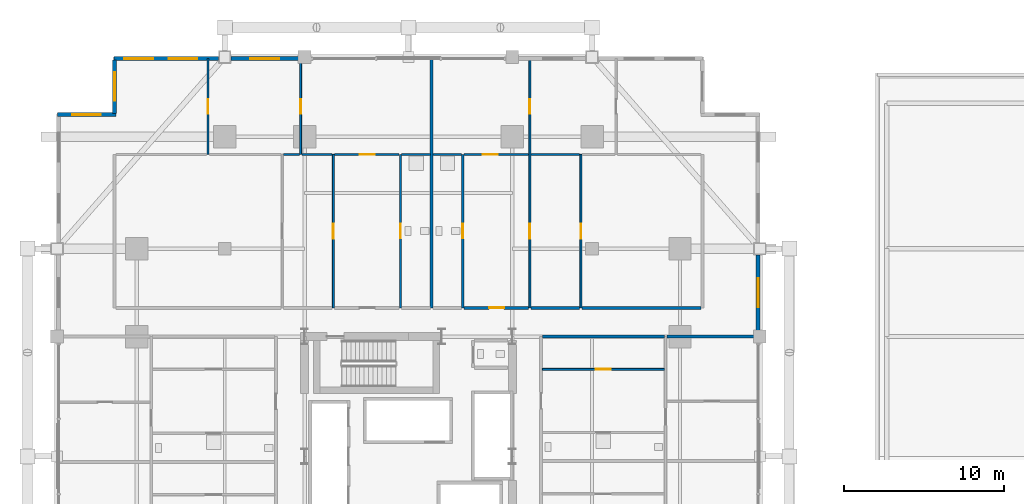
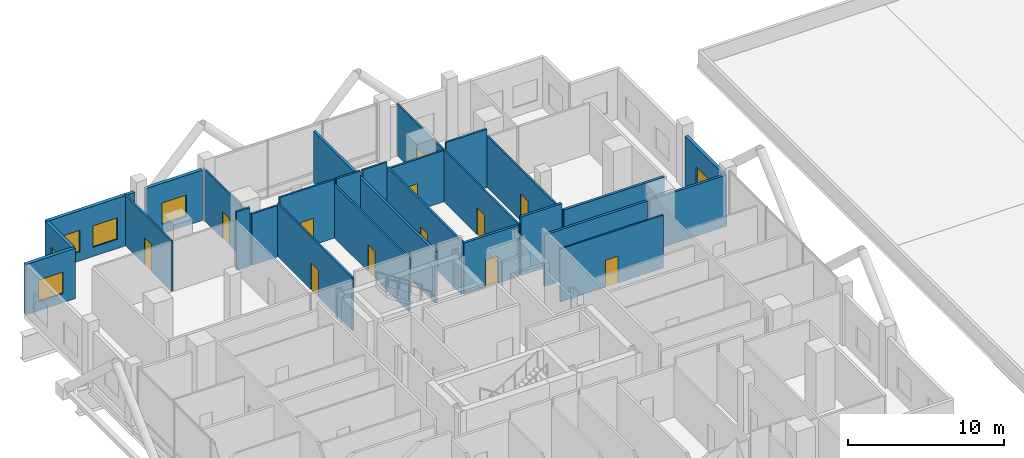
# One storey, part 27 of 33: 26 walls, 12 doors, 6 windows, 18 openings.
"""IFC4 building model written with IfcOpenShell, lengths in metres."""

from ifc_helpers import new_model, si_unit, direction, frame, frame_2d, origin, place, context, subcontext, project, spatial, rectangle, extrude, material, layer, layer_set, type_object, element, fill, save


model = new_model("IFC4")

# Units and contexts
model_context = context("Model", 3, precision=1e-05, world=origin(), true_north=direction((0.0, 1.0)))
body_context = subcontext(model_context, "Body", "Model", "MODEL_VIEW")
ifc_project = project(units=[si_unit("LENGTHUNIT", "METRE"), si_unit("AREAUNIT", "SQUARE_METRE"), si_unit("VOLUMEUNIT", "CUBIC_METRE"), si_unit("PLANEANGLEUNIT", "RADIAN"), si_unit("MASSUNIT", "GRAM", prefix="KILO")], contexts=[model_context])

# Site, building, storey
site_placement = place(None, origin())
site = spatial("IfcSite", under=ifc_project, at=site_placement, CompositionType="ELEMENT")
building_placement = place(site_placement, origin())
building = spatial("IfcBuilding", under=site, at=building_placement, Name="Barlavira Tower and Art Museum", CompositionType="ELEMENT")
storey_placement = place(building_placement, frame((0.0, 0.0, 27.60009765625)))
storey = spatial("IfcBuildingStorey", under=building, at=storey_placement, Name="L05", CompositionType="ELEMENT", Elevation=27.60009765625)

# Wall, opening, door
ifc_material_1 = material(Name="Gypsum acoustic stud partition", Category="gypsum")
ifc_layer_1 = layer(ifc_material_1, 0.1201171875, Name="Gypsum acoustic stud partition")
ifc_layer_set_1 = layer_set([ifc_layer_1], Name="Gypsum acoustic stud partition")
wall_type_1 = type_object("IfcWallType", Name="Apartment Internal Acoustic Partition 120", PredefinedType="PARTITIONING", material=ifc_layer_set_1)
wall_1_placement = place(storey_placement, frame((-12.550048828125, 18.89990234375, 0.0), z_axis=(0.0, 0.0, 1.0), x_axis=(0.0, 1.0, 0.0)))
wall_1 = element("IfcWall", 1, at=wall_1_placement, inside=storey, type_object=wall_type_1, Name="L05 Partition Wall 7", PredefinedType="PARTITIONING", context=body_context, shape_type="SweptSolid", body=[
    extrude(rectangle(XDim=6.0, YDim=0.1201171875, at=frame_2d((3.0, 0.0))), origin(), (0.0, 0.0, 1.0), 3.935791015625),
])
opening_1_placement = place(wall_1_placement, frame((2.550048828125, 0.0, 0.0)))
opening_1 = element("IfcOpeningElement", 2, at=opening_1_placement, cuts=wall_1, Name="Opening D-01", PredefinedType="OPENING", context=body_context, shape_type="SweptSolid", body=[
    extrude(rectangle(XDim=0.89990234375, YDim=2.10009765625, at=frame_2d((0.449951171875, 1.050048828125))), frame((0.0, 0.070068359375, 0.0), z_axis=(0.0, -1.0, 0.0), x_axis=(1.0, 0.0, 0.0)), (0.0, 0.0, 1.0), 0.14013671875),
])
ifc_material_2 = material(Name="Engineered coastal hardwood", Category="wood")
door_type_1 = type_object("IfcDoorType", Name="Internal Bedroom Timber Flush Door 900x2100", OperationType="NOTDEFINED", PredefinedType="DOOR", material=ifc_material_2)
door_1_placement = place(opening_1_placement, origin())
door_1 = element("IfcDoor", 3, at=door_1_placement, inside=storey, type_object=door_type_1, Name="Apartment N1 Bedroom 2 Door", OperationType="SINGLE_SWING_LEFT", OverallHeight=2.10009765625, OverallWidth=0.89990234375, PredefinedType="DOOR", context=body_context, shape_type="SweptSolid", body=[
    extrude(rectangle(XDim=0.89990234375, YDim=2.10009765625, at=frame_2d((0.449951171875, 1.050048828125))), frame((0.0, 0.02490234375, 0.0), z_axis=(0.0, -1.0, 0.0), x_axis=(1.0, 0.0, 0.0)), (0.0, 0.0, 1.0), 0.050048828125),
])
fill(opening_1, door_1)

wall_2_placement = place(storey_placement, frame((-6.75, 18.89990234375, 0.0), z_axis=(0.0, 0.0, 1.0), x_axis=(0.0, 1.0, 0.0)))
wall_2 = element("IfcWall", 4, at=wall_2_placement, inside=storey, type_object=wall_type_1, Name="L05 Partition Wall 12", PredefinedType="PARTITIONING", context=body_context, shape_type="SweptSolid", body=[
    extrude(rectangle(XDim=6.0, YDim=0.1201171875, at=frame_2d((3.0, 0.0))), origin(), (0.0, 0.0, 1.0), 4.015869140625),
])
opening_2_placement = place(wall_2_placement, frame((2.550048828125, 0.0, 0.0)))
opening_2 = element("IfcOpeningElement", 5, at=opening_2_placement, cuts=wall_2, Name="Opening D-01", PredefinedType="OPENING", context=body_context, shape_type="SweptSolid", body=[
    extrude(rectangle(XDim=0.89990234375, YDim=2.10009765625, at=frame_2d((0.449951171875, 1.050048828125))), frame((0.0, 0.070068359375, 0.0), z_axis=(0.0, -1.0, 0.0), x_axis=(1.0, 0.0, 0.0)), (0.0, 0.0, 1.0), 0.14013671875),
])
door_2_placement = place(opening_2_placement, origin())
door_2 = element("IfcDoor", 6, at=door_2_placement, inside=storey, type_object=door_type_1, Name="Apartment N1 Bedroom 1 Door", OperationType="SINGLE_SWING_RIGHT", OverallHeight=2.10009765625, OverallWidth=0.89990234375, PredefinedType="DOOR", context=body_context, shape_type="SweptSolid", body=[
    extrude(rectangle(XDim=0.89990234375, YDim=2.10009765625, at=frame_2d((0.449951171875, 1.050048828125))), frame((0.0, 0.02490234375, 0.0), z_axis=(0.0, -1.0, 0.0), x_axis=(1.0, 0.0, 0.0)), (0.0, 0.0, 1.0), 0.050048828125),
])
fill(opening_2, door_2)

wall_3_placement = place(storey_placement, frame((-4.699951171875, 9.300048828125, 0.0), z_axis=(0.0, 0.0, 1.0), x_axis=(0.0, 1.0, 0.0)))
wall_3 = element("IfcWall", 7, at=wall_3_placement, inside=storey, type_object=wall_type_1, Name="L05 Partition Wall 13", PredefinedType="PARTITIONING", context=body_context, shape_type="SweptSolid", body=[
    extrude(rectangle(XDim=9.599853515625, YDim=0.1201171875, at=frame_2d((4.7998046875, 0.0))), origin(), (0.0, 0.0, 1.0), 4.14794921875),
])
opening_3_placement = place(wall_3_placement, frame((4.324951171875, 0.0, 0.0)))
opening_3 = element("IfcOpeningElement", 8, at=opening_3_placement, cuts=wall_3, Name="Opening D-02", PredefinedType="OPENING", context=body_context, shape_type="SweptSolid", body=[
    extrude(rectangle(XDim=0.949951171875, YDim=2.10009765625, at=frame_2d((0.47509765625, 1.050048828125))), frame((0.0, 0.070068359375, 0.0), z_axis=(0.0, -1.0, 0.0), x_axis=(1.0, 0.0, 0.0)), (0.0, 0.0, 1.0), 0.14013671875),
])
door_type_2 = type_object("IfcDoorType", Name="Living and Salon Glazed-Leaf Door 950x2100", OperationType="NOTDEFINED", PredefinedType="DOOR", material=ifc_material_2)
door_3_placement = place(opening_3_placement, origin())
door_3 = element("IfcDoor", 9, at=door_3_placement, inside=storey, type_object=door_type_2, Name="Apartment N1 Kitchen Door", OperationType="SINGLE_SWING_LEFT", OverallHeight=2.10009765625, OverallWidth=0.949951171875, PredefinedType="DOOR", context=body_context, shape_type="SweptSolid", body=[
    extrude(rectangle(XDim=0.949951171875, YDim=2.10009765625, at=frame_2d((0.47509765625, 1.050048828125))), frame((0.0, 0.02490234375, 0.0), z_axis=(0.0, -1.0, 0.0), x_axis=(1.0, 0.0, 0.0)), (0.0, 0.0, 1.0), 0.050048828125),
])
fill(opening_3, door_3)

# Wall, openings, doors
wall_4_placement = place(storey_placement, frame((7.60009765625, 9.300048828125, 0.0), z_axis=(0.0, 0.0, 1.0), x_axis=(0.0, 1.0, 0.0)))
wall_4 = element("IfcWall", 10, at=wall_4_placement, inside=storey, type_object=wall_type_1, Name="L05 Partition Wall 22", PredefinedType="PARTITIONING", context=body_context, shape_type="SweptSolid", body=[
    extrude(rectangle(XDim=15.599853515625, YDim=0.1201171875, at=frame_2d((7.7998046875, 0.0))), origin(), (0.0, 0.0, 1.0), 4.015869140625),
])
opening_4_placement = place(wall_4_placement, frame((4.324951171875, 0.0, 0.0)))
opening_4 = element("IfcOpeningElement", 11, at=opening_4_placement, cuts=wall_4, Name="Opening D-02", PredefinedType="OPENING", context=body_context, shape_type="SweptSolid", body=[
    extrude(rectangle(XDim=0.949951171875, YDim=2.10009765625, at=frame_2d((0.47509765625, 1.050048828125))), frame((0.0, 0.070068359375, 0.0), z_axis=(0.0, -1.0, 0.0), x_axis=(1.0, 0.0, 0.0)), (0.0, 0.0, 1.0), 0.14013671875),
])
opening_5_placement = place(wall_4_placement, frame((12.14990234375, 0.0, 0.0)))
opening_5 = element("IfcOpeningElement", 12, at=opening_5_placement, cuts=wall_4, Name="Opening D-01", PredefinedType="OPENING", context=body_context, shape_type="SweptSolid", body=[
    extrude(rectangle(XDim=0.89990234375, YDim=2.10009765625, at=frame_2d((0.449951171875, 1.050048828125))), frame((0.0, 0.070068359375, 0.0), z_axis=(0.0, -1.0, 0.0), x_axis=(1.0, 0.0, 0.0)), (0.0, 0.0, 1.0), 0.14013671875),
])
door_4_placement = place(opening_5_placement, origin())
door_4 = element("IfcDoor", 13, at=door_4_placement, inside=storey, type_object=door_type_1, Name="Apartment N2 Bedroom 1 Door", OperationType="SINGLE_SWING_LEFT", OverallHeight=2.10009765625, OverallWidth=0.89990234375, PredefinedType="DOOR", context=body_context, shape_type="SweptSolid", body=[
    extrude(rectangle(XDim=0.89990234375, YDim=2.10009765625, at=frame_2d((0.449951171875, 1.050048828125))), frame((0.0, 0.02490234375, 0.0), z_axis=(0.0, -1.0, 0.0), x_axis=(1.0, 0.0, 0.0)), (0.0, 0.0, 1.0), 0.050048828125),
])
fill(opening_5, door_4)
door_5_placement = place(opening_4_placement, origin())
door_5 = element("IfcDoor", 14, at=door_5_placement, inside=storey, type_object=door_type_2, Name="Apartment N2 Kitchen Door", OperationType="SINGLE_SWING_RIGHT", OverallHeight=2.10009765625, OverallWidth=0.949951171875, PredefinedType="DOOR", context=body_context, shape_type="SweptSolid", body=[
    extrude(rectangle(XDim=0.949951171875, YDim=2.10009765625, at=frame_2d((0.47509765625, 1.050048828125))), frame((0.0, 0.02490234375, 0.0), z_axis=(0.0, -1.0, 0.0), x_axis=(1.0, 0.0, 0.0)), (0.0, 0.0, 1.0), 0.050048828125),
])
fill(opening_4, door_5)

# Wall, opening, door
wall_5_placement = place(storey_placement, frame((10.800048828125, 9.300048828125, 0.0), z_axis=(0.0, 0.0, 1.0), x_axis=(0.0, 1.0, 0.0)))
wall_5 = element("IfcWall", 15, at=wall_5_placement, inside=storey, type_object=wall_type_1, Name="L05 Partition Wall 26", PredefinedType="PARTITIONING", context=body_context, shape_type="SweptSolid", body=[
    extrude(rectangle(XDim=9.599853515625, YDim=0.1201171875, at=frame_2d((4.7998046875, 0.0))), origin(), (0.0, 0.0, 1.0), 4.015869140625),
])
opening_6_placement = place(wall_5_placement, frame((4.324951171875, 0.0, 0.0)))
opening_6 = element("IfcOpeningElement", 16, at=opening_6_placement, cuts=wall_5, Name="Opening D-02", PredefinedType="OPENING", context=body_context, shape_type="SweptSolid", body=[
    extrude(rectangle(XDim=0.949951171875, YDim=2.10009765625, at=frame_2d((0.47509765625, 1.050048828125))), frame((0.0, 0.070068359375, 0.0), z_axis=(0.0, -1.0, 0.0), x_axis=(1.0, 0.0, 0.0)), (0.0, 0.0, 1.0), 0.14013671875),
])
door_6_placement = place(opening_6_placement, origin())
door_6 = element("IfcDoor", 17, at=door_6_placement, inside=storey, type_object=door_type_2, Name="Apartment N2 Dining Salon Door", OperationType="SINGLE_SWING_LEFT", OverallHeight=2.10009765625, OverallWidth=0.949951171875, PredefinedType="DOOR", context=body_context, shape_type="SweptSolid", body=[
    extrude(rectangle(XDim=0.949951171875, YDim=2.10009765625, at=frame_2d((0.47509765625, 1.050048828125))), frame((0.0, 0.02490234375, 0.0), z_axis=(0.0, -1.0, 0.0), x_axis=(1.0, 0.0, 0.0)), (0.0, 0.0, 1.0), 0.050048828125),
])
fill(opening_6, door_6)

wall_6_placement = place(storey_placement, frame((8.3798828125, 5.449951171875, 0.0), z_axis=(0.0, 0.0, 1.0), x_axis=(1.0, 0.0, 0.0)))
wall_6 = element("IfcWall", 18, at=wall_6_placement, inside=storey, type_object=wall_type_1, Name="L05 Partition Wall 77", PredefinedType="PARTITIONING", context=body_context, shape_type="SweptSolid", body=[
    extrude(rectangle(XDim=7.64013671875, YDim=0.1201171875, at=frame_2d((3.820068359375, 0.0))), origin(), (0.0, 0.0, 1.0), 4.14794921875),
])
opening_7_placement = place(wall_6_placement, frame((3.344970703125, 0.0, 0.0)))
opening_7 = element("IfcOpeningElement", 19, at=opening_7_placement, cuts=wall_6, Name="Opening D-02", PredefinedType="OPENING", context=body_context, shape_type="SweptSolid", body=[
    extrude(rectangle(XDim=0.949951171875, YDim=2.10009765625, at=frame_2d((0.47509765625, 1.050048828125))), frame((0.0, 0.070068359375, 0.0), z_axis=(0.0, -1.0, 0.0), x_axis=(1.0, 0.0, 0.0)), (0.0, 0.0, 1.0), 0.14013671875),
])
door_7_placement = place(opening_7_placement, origin())
door_7 = element("IfcDoor", 20, at=door_7_placement, inside=storey, type_object=door_type_2, Name="Apartment E2 Kitchen Door", OperationType="SINGLE_SWING_RIGHT", OverallHeight=2.10009765625, OverallWidth=0.949951171875, PredefinedType="DOOR", context=body_context, shape_type="SweptSolid", body=[
    extrude(rectangle(XDim=0.949951171875, YDim=2.10009765625, at=frame_2d((0.47509765625, 1.050048828125))), frame((0.0, 0.02490234375, 0.0), z_axis=(0.0, -1.0, 0.0), x_axis=(1.0, 0.0, 0.0)), (0.0, 0.0, 1.0), 0.050048828125),
])
fill(opening_7, door_7)

# Walls
ifc_layer_2 = layer(ifc_material_1, 0.179931640625, Name="Gypsum acoustic stud partition")
ifc_layer_set_2 = layer_set([ifc_layer_2], Name="Gypsum acoustic stud partition")
wall_type_2 = type_object("IfcWallType", Name="Inter-Tenancy Party Partition Wall 180", PredefinedType="PARTITIONING", material=ifc_layer_set_2)
wall_7_placement = place(storey_placement, frame((1.449951171875, 9.300048828125, 0.0), z_axis=(0.0, 0.0, 1.0), x_axis=(0.0, 1.0, 0.0)))
element("IfcWall", 21, at=wall_7_placement, inside=storey, type_object=wall_type_2, Name="L05 Partition Wall 18", PredefinedType="PARTITIONING", context=body_context, shape_type="SweptSolid", body=[
    extrude(rectangle(XDim=15.599853515625, YDim=0.179931640625, at=frame_2d((7.7998046875, 0.0))), origin(), (0.0, 0.0, 1.0), 4.015869140625),
])
wall_8_placement = place(storey_placement, frame((8.3798828125, 7.5, 0.0), z_axis=(0.0, 0.0, 1.0), x_axis=(1.0, 0.0, 0.0)))
element("IfcWall", 22, at=wall_8_placement, inside=storey, type_object=wall_type_2, Name="L05 Partition Wall 82", PredefinedType="PARTITIONING", context=body_context, shape_type="SweptSolid", body=[
    extrude(rectangle(XDim=7.64013671875, YDim=0.179931640625, at=frame_2d((3.820068359375, 0.0))), origin(), (0.0, 0.0, 1.0), 4.015869140625),
])
wall_9_placement = place(storey_placement, frame((16.179931640625, 7.5, 0.0), z_axis=(0.0, 0.0, 1.0), x_axis=(1.0, 0.0, 0.0)))
element("IfcWall", 23, at=wall_9_placement, inside=storey, type_object=wall_type_2, Name="L05 Partition Wall 83", PredefinedType="PARTITIONING", context=body_context, shape_type="SweptSolid", body=[
    extrude(rectangle(XDim=5.719970703125, YDim=0.179931640625, at=frame_2d((2.85986328125, 0.0))), origin(), (0.0, 0.0, 1.0), 4.015869140625),
])

# Wall, opening, door
wall_10_placement = place(storey_placement, frame((3.47998046875, 9.300048828125, 0.0), z_axis=(0.0, 0.0, 1.0), x_axis=(1.0, 0.0, 0.0)))
wall_10 = element("IfcWall", 24, at=wall_10_placement, inside=storey, type_object=wall_type_2, Name="L05 Partition Wall 89", PredefinedType="PARTITIONING", context=body_context, shape_type="SweptSolid", body=[
    extrude(rectangle(XDim=4.0400390625, YDim=0.179931640625, at=frame_2d((2.02001953125, 0.0))), origin(), (0.0, 0.0, 1.0), 4.015869140625),
])
opening_8_placement = place(wall_10_placement, frame((1.56494140625, 0.0, 0.0)))
opening_8 = element("IfcOpeningElement", 25, at=opening_8_placement, cuts=wall_10, Name="Opening FD-60", PredefinedType="OPENING", context=body_context, shape_type="SweptSolid", body=[
    extrude(rectangle(XDim=0.949951171875, YDim=2.14990234375, at=frame_2d((0.47509765625, 1.074951171875))), frame((0.0, 0.10009765625, 0.0), z_axis=(0.0, -1.0, 0.0), x_axis=(1.0, 0.0, 0.0)), (0.0, 0.0, 1.0), 0.199951171875),
])
ifc_material_3 = material(Name="Brushed stainless steel", Category="steel")
door_type_3 = type_object("IfcDoorType", Name="Apartment Entrance and Riser Fire Door 950x2150 FD60S", OperationType="NOTDEFINED", PredefinedType="DOOR", material=ifc_material_3)
door_8_placement = place(opening_8_placement, origin())
door_8 = element("IfcDoor", 26, at=door_8_placement, inside=storey, type_object=door_type_3, Name="Apartment Entrance Hall N2 Door", OperationType="SINGLE_SWING_LEFT", OverallHeight=2.14990234375, OverallWidth=0.949951171875, PredefinedType="DOOR", context=body_context, shape_type="SweptSolid", body=[
    extrude(rectangle(XDim=0.949951171875, YDim=2.14990234375, at=frame_2d((0.47509765625, 1.074951171875))), frame((0.0, 0.02490234375, 0.0), z_axis=(0.0, -1.0, 0.0), x_axis=(1.0, 0.0, 0.0)), (0.0, 0.0, 1.0), 0.050048828125),
])
fill(opening_8, door_8)

# Walls
wall_11_placement = place(storey_placement, frame((7.679931640625, 9.300048828125, 0.0), z_axis=(0.0, 0.0, 1.0), x_axis=(1.0, 0.0, 0.0)))
element("IfcWall", 27, at=wall_11_placement, inside=storey, type_object=wall_type_2, Name="L05 Partition Wall 90", PredefinedType="PARTITIONING", context=body_context, shape_type="SweptSolid", body=[
    extrude(rectangle(XDim=3.0400390625, YDim=0.179931640625, at=frame_2d((1.52001953125, 0.0))), origin(), (0.0, 0.0, 1.0), 4.579833984375),
])
wall_12_placement = place(storey_placement, frame((10.8798828125, 9.300048828125, 0.0), z_axis=(0.0, 0.0, 1.0), x_axis=(1.0, 0.0, 0.0)))
element("IfcWall", 28, at=wall_12_placement, inside=storey, type_object=wall_type_2, Name="L05 Partition Wall 91", PredefinedType="PARTITIONING", context=body_context, shape_type="SweptSolid", body=[
    extrude(rectangle(XDim=7.440185546875, YDim=0.179931640625, at=frame_2d((3.72021484375, 0.0))), origin(), (0.0, 0.0, 1.0), 4.015869140625),
])

# Wall, opening, door
ifc_layer_3 = layer(ifc_material_1, 0.139892578125, Name="Gypsum acoustic stud partition")
ifc_layer_set_3 = layer_set([ifc_layer_3], Name="Gypsum acoustic stud partition")
wall_type_3 = type_object("IfcWallType", Name="Moisture-Resistant Bathroom Partition 140", PredefinedType="PARTITIONING", material=ifc_layer_set_3)
wall_13_placement = place(storey_placement, frame((-0.5, 9.300048828125, 0.0), z_axis=(0.0, 0.0, 1.0), x_axis=(0.0, 1.0, 0.0)))
wall_13 = element("IfcWall", 29, at=wall_13_placement, inside=storey, type_object=wall_type_3, Name="L05 Partition Wall 16", PredefinedType="PARTITIONING", context=body_context, shape_type="SweptSolid", body=[
    extrude(rectangle(XDim=9.599853515625, YDim=0.139892578125, at=frame_2d((4.7998046875, 0.0))), origin(), (0.0, 0.0, 1.0), 4.14794921875),
])
opening_9_placement = place(wall_13_placement, frame((4.35009765625, 0.0, 0.0)))
opening_9 = element("IfcOpeningElement", 30, at=opening_9_placement, cuts=wall_13, Name="Opening D-WC", PredefinedType="OPENING", context=body_context, shape_type="SweptSolid", body=[
    extrude(rectangle(XDim=0.89990234375, YDim=2.10009765625, at=frame_2d((0.449951171875, 1.050048828125))), frame((0.0, 0.080078125, 0.0), z_axis=(0.0, -1.0, 0.0), x_axis=(1.0, 0.0, 0.0)), (0.0, 0.0, 1.0), 0.159912109375),
])
door_type_4 = type_object("IfcDoorType", Name="Accessible Bathroom Flush Door 900x2100", OperationType="NOTDEFINED", PredefinedType="DOOR", material=ifc_material_2)
door_9_placement = place(opening_9_placement, origin())
door_9 = element("IfcDoor", 31, at=door_9_placement, inside=storey, type_object=door_type_4, Name="Apartment N1 Hall Bathroom Door", OperationType="SINGLE_SWING_LEFT", OverallHeight=2.10009765625, OverallWidth=0.89990234375, PredefinedType="DOOR", context=body_context, shape_type="SweptSolid", body=[
    extrude(rectangle(XDim=0.89990234375, YDim=2.10009765625, at=frame_2d((0.449951171875, 1.050048828125))), frame((0.0, 0.02490234375, 0.0), z_axis=(0.0, -1.0, 0.0), x_axis=(1.0, 0.0, 0.0)), (0.0, 0.0, 1.0), 0.050048828125),
])
fill(opening_9, door_9)

wall_14_placement = place(storey_placement, frame((3.39990234375, 9.300048828125, 0.0), z_axis=(0.0, 0.0, 1.0), x_axis=(0.0, 1.0, 0.0)))
wall_14 = element("IfcWall", 32, at=wall_14_placement, inside=storey, type_object=wall_type_3, Name="L05 Partition Wall 19", PredefinedType="PARTITIONING", context=body_context, shape_type="SweptSolid", body=[
    extrude(rectangle(XDim=9.599853515625, YDim=0.139892578125, at=frame_2d((4.7998046875, 0.0))), origin(), (0.0, 0.0, 1.0), 4.14794921875),
])
opening_10_placement = place(wall_14_placement, frame((4.35009765625, 0.0, 0.0)))
opening_10 = element("IfcOpeningElement", 33, at=opening_10_placement, cuts=wall_14, Name="Opening D-WC", PredefinedType="OPENING", context=body_context, shape_type="SweptSolid", body=[
    extrude(rectangle(XDim=0.89990234375, YDim=2.10009765625, at=frame_2d((0.449951171875, 1.050048828125))), frame((0.0, 0.080078125, 0.0), z_axis=(0.0, -1.0, 0.0), x_axis=(1.0, 0.0, 0.0)), (0.0, 0.0, 1.0), 0.159912109375),
])
door_10_placement = place(opening_10_placement, origin())
door_10 = element("IfcDoor", 34, at=door_10_placement, inside=storey, type_object=door_type_4, Name="Apartment N2 Hall Bathroom Door", OperationType="SINGLE_SWING_RIGHT", OverallHeight=2.10009765625, OverallWidth=0.89990234375, PredefinedType="DOOR", context=body_context, shape_type="SweptSolid", body=[
    extrude(rectangle(XDim=0.89990234375, YDim=2.10009765625, at=frame_2d((0.449951171875, 1.050048828125))), frame((0.0, 0.02490234375, 0.0), z_axis=(0.0, -1.0, 0.0), x_axis=(1.0, 0.0, 0.0)), (0.0, 0.0, 1.0), 0.050048828125),
])
fill(opening_10, door_10)

# Walls
wall_15_placement = place(storey_placement, frame((-7.820068359375, 18.89990234375, 0.0), z_axis=(0.0, 0.0, 1.0), x_axis=(1.0, 0.0, 0.0)))
element("IfcWall", 35, at=wall_15_placement, inside=storey, type_object=wall_type_3, Name="L05 Partition Wall 94", PredefinedType="PARTITIONING", context=body_context, shape_type="SweptSolid", body=[
    extrude(rectangle(XDim=0.989990234375, YDim=0.139892578125, at=frame_2d((0.4951171875, 0.0))), origin(), (0.0, 0.0, 1.0), 4.579833984375),
])
wall_16_placement = place(storey_placement, frame((-6.669921875, 18.89990234375, 0.0), z_axis=(0.0, 0.0, 1.0), x_axis=(1.0, 0.0, 0.0)))
element("IfcWall", 36, at=wall_16_placement, inside=storey, type_object=wall_type_3, Name="L05 Partition Wall 95", PredefinedType="PARTITIONING", context=body_context, shape_type="SweptSolid", body=[
    extrude(rectangle(XDim=1.889892578125, YDim=0.139892578125, at=frame_2d((0.94482421875, 0.0))), origin(), (0.0, 0.0, 1.0), 4.015869140625),
])

# Wall, opening, door
wall_17_placement = place(storey_placement, frame((-4.6201171875, 18.89990234375, 0.0), z_axis=(0.0, 0.0, 1.0), x_axis=(1.0, 0.0, 0.0)))
wall_17 = element("IfcWall", 37, at=wall_17_placement, inside=storey, type_object=wall_type_3, Name="L05 Partition Wall 96", PredefinedType="PARTITIONING", context=body_context, shape_type="SweptSolid", body=[
    extrude(rectangle(XDim=4.0400390625, YDim=0.139892578125, at=frame_2d((2.02001953125, 0.0))), origin(), (0.0, 0.0, 1.0), 4.579833984375),
])
opening_11_placement = place(wall_17_placement, frame((1.56494140625, 0.0, 0.0)))
opening_11 = element("IfcOpeningElement", 38, at=opening_11_placement, cuts=wall_17, Name="Opening D-02", PredefinedType="OPENING", context=body_context, shape_type="SweptSolid", body=[
    extrude(rectangle(XDim=0.949951171875, YDim=2.10009765625, at=frame_2d((0.47509765625, 1.050048828125))), frame((0.0, 0.080078125, 0.0), z_axis=(0.0, -1.0, 0.0), x_axis=(1.0, 0.0, 0.0)), (0.0, 0.0, 1.0), 0.159912109375),
])
door_11_placement = place(opening_11_placement, origin())
door_11 = element("IfcDoor", 39, at=door_11_placement, inside=storey, type_object=door_type_2, Name="Apartment N1 Living Lounge Door", OperationType="SINGLE_SWING_LEFT", OverallHeight=2.10009765625, OverallWidth=0.949951171875, PredefinedType="DOOR", context=body_context, shape_type="SweptSolid", body=[
    extrude(rectangle(XDim=0.949951171875, YDim=2.10009765625, at=frame_2d((0.47509765625, 1.050048828125))), frame((0.0, 0.02490234375, 0.0), z_axis=(0.0, -1.0, 0.0), x_axis=(1.0, 0.0, 0.0)), (0.0, 0.0, 1.0), 0.050048828125),
])
fill(opening_11, door_11)

# Walls
for number, where, z_axis, x_axis, name in (
    (40, (-0.419921875, 18.89990234375, 0.0), (0.0, 0.0, 1.0), (1.0, 0.0, 0.0), "L05 Partition Wall 97"),
    (41, (1.530029296875, 18.89990234375, 0.0), (0.0, 0.0, 1.0), (1.0, 0.0, 0.0), "L05 Partition Wall 98"),
):
    element("IfcWall", number, at=place(storey_placement, frame(where, z_axis=z_axis, x_axis=x_axis)), inside=storey, type_object=wall_type_3, Name=name, PredefinedType="PARTITIONING", context=body_context, shape_type="SweptSolid", body=[
        extrude(rectangle(XDim=1.7900390625, YDim=0.139892578125, at=frame_2d((0.89501953125, 0.0))), origin(), (0.0, 0.0, 1.0), 4.579833984375),
    ])

# Wall, opening, door
wall_18_placement = place(storey_placement, frame((3.47998046875, 18.89990234375, 0.0), z_axis=(0.0, 0.0, 1.0), x_axis=(1.0, 0.0, 0.0)))
wall_18 = element("IfcWall", 42, at=wall_18_placement, inside=storey, type_object=wall_type_3, Name="L05 Partition Wall 99", PredefinedType="PARTITIONING", context=body_context, shape_type="SweptSolid", body=[
    extrude(rectangle(XDim=4.0400390625, YDim=0.139892578125, at=frame_2d((2.02001953125, 0.0))), origin(), (0.0, 0.0, 1.0), 4.015869140625),
])
opening_12_placement = place(wall_18_placement, frame((1.156494140625, 0.0, 0.0)))
opening_12 = element("IfcOpeningElement", 43, at=opening_12_placement, cuts=wall_18, Name="Opening D-02", PredefinedType="OPENING", context=body_context, shape_type="SweptSolid", body=[
    extrude(rectangle(XDim=0.949951171875, YDim=2.10009765625, at=frame_2d((0.47509765625, 1.050048828125))), frame((0.0, 0.080078125, 0.0), z_axis=(0.0, -1.0, 0.0), x_axis=(1.0, 0.0, 0.0)), (0.0, 0.0, 1.0), 0.159912109375),
])
door_12_placement = place(opening_12_placement, origin())
door_12 = element("IfcDoor", 44, at=door_12_placement, inside=storey, type_object=door_type_2, Name="Apartment N2 Living Lounge Door", OperationType="SINGLE_SWING_RIGHT", OverallHeight=2.10009765625, OverallWidth=0.949951171875, PredefinedType="DOOR", context=body_context, shape_type="SweptSolid", body=[
    extrude(rectangle(XDim=0.949951171875, YDim=2.10009765625, at=frame_2d((0.47509765625, 1.050048828125))), frame((0.0, 0.02490234375, 0.0), z_axis=(0.0, -1.0, 0.0), x_axis=(1.0, 0.0, 0.0)), (0.0, 0.0, 1.0), 0.050048828125),
])
fill(opening_12, door_12)

# Wall
wall_19_placement = place(storey_placement, frame((7.679931640625, 18.89990234375, 0.0), z_axis=(0.0, 0.0, 1.0), x_axis=(1.0, 0.0, 0.0)))
element("IfcWall", 45, at=wall_19_placement, inside=storey, type_object=wall_type_3, Name="L05 Partition Wall 100", PredefinedType="PARTITIONING", context=body_context, shape_type="SweptSolid", body=[
    extrude(rectangle(XDim=3.0400390625, YDim=0.139892578125, at=frame_2d((1.52001953125, 0.0))), origin(), (0.0, 0.0, 1.0), 4.579833984375),
])

# Wall, opening, window
ifc_material_4 = material(Name="Precast concrete C40", Category="concrete")
ifc_layer_4 = layer(ifc_material_4, 0.25, Name="Precast concrete C40")
ifc_layer_set_4 = layer_set([ifc_layer_4], Name="Precast concrete C40")
wall_type_4 = type_object("IfcWallType", Name="Notched Corner Spandrel Wall 250 Precast Concrete C40", PredefinedType="SOLIDWALL", material=ifc_layer_set_4)
wall_20_placement = place(storey_placement, frame((-6.89501953125, 24.89990234375, 0.0), z_axis=(0.0, 0.0, 1.0), x_axis=(-1.0, 0.0, 0.0)))
wall_20 = element("IfcWall", 46, at=wall_20_placement, inside=storey, type_object=wall_type_4, Name="L05 Coastal Facade Pier Wall CW1-L05-N-4", PredefinedType="SOLIDWALL", context=body_context, shape_type="SweptSolid", body=[
    extrude(rectangle(XDim=4.2099609375, YDim=0.25, at=frame_2d((2.10498046875, 0.0))), origin(), (0.0, 0.0, 1.0), 3.935791015625),
])
opening_13_placement = place(wall_20_placement, frame((1.205078125, 0.0, 0.719970703125)))
opening_13 = element("IfcOpeningElement", 47, at=opening_13_placement, cuts=wall_20, Name="Opening WN-01", PredefinedType="OPENING", context=body_context, shape_type="SweptSolid", body=[
    extrude(rectangle(XDim=1.800048828125, YDim=1.679931640625, at=frame_2d((0.89990234375, 0.83984375))), frame((0.0, 0.135009765625, 0.0), z_axis=(0.0, -1.0, 0.0), x_axis=(1.0, 0.0, 0.0)), (0.0, 0.0, 1.0), 0.27001953125),
])
ifc_material_5 = material(Name="Low-iron coastal laminated glass", Category="glass")
window_type = type_object("IfcWindowType", Name="Recessed Notch Corner Punch Window 1800x1680", PartitioningType="SINGLE_PANEL", PredefinedType="WINDOW", material=ifc_material_5)
window_1_placement = place(opening_13_placement, origin())
window_1 = element("IfcWindow", 48, at=window_1_placement, inside=storey, type_object=window_type, Name="L05 Punched Facade Window EWP-CW1-L05-N-4-1", OverallHeight=1.679931640625, OverallWidth=1.800048828125, PartitioningType="SINGLE_PANEL", PredefinedType="WINDOW", context=body_context, shape_type="SweptSolid", body=[
    extrude(rectangle(XDim=1.800048828125, YDim=1.679931640625, at=frame_2d((0.89990234375, 0.83984375))), frame((0.0, 0.030029296875, 0.0), z_axis=(0.0, -1.0, 0.0), x_axis=(1.0, 0.0, 0.0)), (0.0, 0.0, 1.0), 0.06005859375),
])
fill(opening_13, window_1)

# Wall, openings, windows
wall_21_placement = place(storey_placement, frame((-11.89501953125, 24.89990234375, 0.0), z_axis=(0.0, 0.0, 1.0), x_axis=(-1.0, 0.0, 0.0)))
wall_21 = element("IfcWall", 49, at=wall_21_placement, inside=storey, type_object=wall_type_4, Name="L05 Coastal Facade Pier Wall CW1-L05-N-5", PredefinedType="SOLIDWALL", context=body_context, shape_type="SweptSolid", body=[
    extrude(rectangle(XDim=6.530029296875, YDim=0.25, at=frame_2d((3.26513671875, 0.0))), origin(), (0.0, 0.0, 1.0), 3.935791015625),
])
opening_14_placement = place(wall_21_placement, frame((1.319091796875, 0.0, 0.719970703125)))
opening_14 = element("IfcOpeningElement", 50, at=opening_14_placement, cuts=wall_21, Name="Opening WN-01", PredefinedType="OPENING", context=body_context, shape_type="SweptSolid", body=[
    extrude(rectangle(XDim=1.800048828125, YDim=1.679931640625, at=frame_2d((0.89990234375, 0.83984375))), frame((0.0, 0.135009765625, 0.0), z_axis=(0.0, -1.0, 0.0), x_axis=(1.0, 0.0, 0.0)), (0.0, 0.0, 1.0), 0.27001953125),
])
opening_15_placement = place(wall_21_placement, frame((4.0859375, 0.0, 0.719970703125)))
opening_15 = element("IfcOpeningElement", 51, at=opening_15_placement, cuts=wall_21, Name="Opening WN-01", PredefinedType="OPENING", context=body_context, shape_type="SweptSolid", body=[
    extrude(rectangle(XDim=1.800048828125, YDim=1.679931640625, at=frame_2d((0.89990234375, 0.83984375))), frame((0.0, 0.135009765625, 0.0), z_axis=(0.0, -1.0, 0.0), x_axis=(1.0, 0.0, 0.0)), (0.0, 0.0, 1.0), 0.27001953125),
])
window_2_placement = place(opening_14_placement, origin())
window_2 = element("IfcWindow", 52, at=window_2_placement, inside=storey, type_object=window_type, Name="L05 Punched Facade Window EWP-CW1-L05-N-5-1", OverallHeight=1.679931640625, OverallWidth=1.800048828125, PartitioningType="SINGLE_PANEL", PredefinedType="WINDOW", context=body_context, shape_type="SweptSolid", body=[
    extrude(rectangle(XDim=1.800048828125, YDim=1.679931640625, at=frame_2d((0.89990234375, 0.83984375))), frame((0.0, 0.030029296875, 0.0), z_axis=(0.0, -1.0, 0.0), x_axis=(1.0, 0.0, 0.0)), (0.0, 0.0, 1.0), 0.06005859375),
])
fill(opening_14, window_2)
window_3_placement = place(opening_15_placement, origin())
window_3 = element("IfcWindow", 53, at=window_3_placement, inside=storey, type_object=window_type, Name="L05 Punched Facade Window EWP-CW1-L05-N-5-2", OverallHeight=1.679931640625, OverallWidth=1.800048828125, PartitioningType="SINGLE_PANEL", PredefinedType="WINDOW", context=body_context, shape_type="SweptSolid", body=[
    extrude(rectangle(XDim=1.800048828125, YDim=1.679931640625, at=frame_2d((0.89990234375, 0.83984375))), frame((0.0, 0.030029296875, 0.0), z_axis=(0.0, -1.0, 0.0), x_axis=(1.0, 0.0, 0.0)), (0.0, 0.0, 1.0), 0.06005859375),
])
fill(opening_15, window_3)

# Wall, opening, window
wall_22_placement = place(storey_placement, frame((21.89990234375, 7.89501953125, 0.0), z_axis=(0.0, 0.0, 1.0), x_axis=(0.0, 1.0, 0.0)))
wall_22 = element("IfcWall", 54, at=wall_22_placement, inside=storey, type_object=wall_type_4, Name="L05 Coastal Facade Pier Wall CW1-L05-E-4", PredefinedType="SOLIDWALL", context=body_context, shape_type="SweptSolid", body=[
    extrude(rectangle(XDim=4.7099609375, YDim=0.25, at=frame_2d((2.35498046875, 0.0))), origin(), (0.0, 0.0, 1.0), 3.935791015625),
])
opening_16_placement = place(wall_22_placement, frame((1.455078125, 0.0, 0.719970703125)))
opening_16 = element("IfcOpeningElement", 55, at=opening_16_placement, cuts=wall_22, Name="Opening WN-01", PredefinedType="OPENING", context=body_context, shape_type="SweptSolid", body=[
    extrude(rectangle(XDim=1.800048828125, YDim=1.679931640625, at=frame_2d((0.89990234375, 0.83984375))), frame((0.0, 0.135009765625, 0.0), z_axis=(0.0, -1.0, 0.0), x_axis=(1.0, 0.0, 0.0)), (0.0, 0.0, 1.0), 0.27001953125),
])
window_4_placement = place(opening_16_placement, origin())
window_4 = element("IfcWindow", 56, at=window_4_placement, inside=storey, type_object=window_type, Name="L05 Punched Facade Window EWP-CW1-L05-E-4-1", OverallHeight=1.679931640625, OverallWidth=1.800048828125, PartitioningType="SINGLE_PANEL", PredefinedType="WINDOW", context=body_context, shape_type="SweptSolid", body=[
    extrude(rectangle(XDim=1.800048828125, YDim=1.679931640625, at=frame_2d((0.89990234375, 0.83984375))), frame((0.0, 0.030029296875, 0.0), z_axis=(0.0, -1.0, 0.0), x_axis=(1.0, 0.0, 0.0)), (0.0, 0.0, 1.0), 0.06005859375),
])
fill(opening_16, window_4)

wall_23_placement = place(storey_placement, frame((-18.39990234375, 24.820068359375, 0.0), z_axis=(0.0, 0.0, 1.0), x_axis=(0.0, -1.0, 0.0)))
wall_23 = element("IfcWall", 57, at=wall_23_placement, inside=storey, type_object=wall_type_4, Name="L05 Notch Corner Wall NW1", PredefinedType="SOLIDWALL", context=body_context, shape_type="SweptSolid", body=[
    extrude(rectangle(XDim=3.340087890625, YDim=0.25, at=frame_2d((1.669921875, 0.0))), origin(), (0.0, 0.0, 1.0), 3.935791015625),
])
opening_17_placement = place(wall_23_placement, frame((0.77001953125, 0.0, 0.719970703125)))
opening_17 = element("IfcOpeningElement", 58, at=opening_17_placement, cuts=wall_23, Name="Opening WN-01", PredefinedType="OPENING", context=body_context, shape_type="SweptSolid", body=[
    extrude(rectangle(XDim=1.800048828125, YDim=1.679931640625, at=frame_2d((0.89990234375, 0.83984375))), frame((0.0, 0.135009765625, 0.0), z_axis=(0.0, -1.0, 0.0), x_axis=(1.0, 0.0, 0.0)), (0.0, 0.0, 1.0), 0.27001953125),
])
window_5_placement = place(opening_17_placement, origin())
window_5 = element("IfcWindow", 59, at=window_5_placement, inside=storey, type_object=window_type, Name="L05 Punched Facade Window EW-NTC-L05-NW1-1", OverallHeight=1.679931640625, OverallWidth=1.800048828125, PartitioningType="SINGLE_PANEL", PredefinedType="WINDOW", context=body_context, shape_type="SweptSolid", body=[
    extrude(rectangle(XDim=1.800048828125, YDim=1.679931640625, at=frame_2d((0.89990234375, 0.83984375))), frame((0.0, 0.030029296875, 0.0), z_axis=(0.0, -1.0, 0.0), x_axis=(1.0, 0.0, 0.0)), (0.0, 0.0, 1.0), 0.06005859375),
])
fill(opening_17, window_5)

wall_24_placement = place(storey_placement, frame((-18.320068359375, 21.39990234375, 0.0), z_axis=(0.0, 0.0, 1.0), x_axis=(-1.0, 0.0, 0.0)))
wall_24 = element("IfcWall", 60, at=wall_24_placement, inside=storey, type_object=wall_type_4, Name="L05 Notch Corner Wall NW2", PredefinedType="SOLIDWALL", context=body_context, shape_type="SweptSolid", body=[
    extrude(rectangle(XDim=3.659912109375, YDim=0.25, at=frame_2d((1.830078125, 0.0))), origin(), (0.0, 0.0, 1.0), 3.935791015625),
])
opening_18_placement = place(wall_24_placement, frame((0.929931640625, 0.0, 0.719970703125)))
opening_18 = element("IfcOpeningElement", 61, at=opening_18_placement, cuts=wall_24, Name="Opening WN-01", PredefinedType="OPENING", context=body_context, shape_type="SweptSolid", body=[
    extrude(rectangle(XDim=1.800048828125, YDim=1.679931640625, at=frame_2d((0.89990234375, 0.83984375))), frame((0.0, 0.135009765625, 0.0), z_axis=(0.0, -1.0, 0.0), x_axis=(1.0, 0.0, 0.0)), (0.0, 0.0, 1.0), 0.27001953125),
])
window_6_placement = place(opening_18_placement, origin())
window_6 = element("IfcWindow", 62, at=window_6_placement, inside=storey, type_object=window_type, Name="L05 Punched Facade Window EW-NTC-L05-NW2-1", OverallHeight=1.679931640625, OverallWidth=1.800048828125, PartitioningType="SINGLE_PANEL", PredefinedType="WINDOW", context=body_context, shape_type="SweptSolid", body=[
    extrude(rectangle(XDim=1.800048828125, YDim=1.679931640625, at=frame_2d((0.89990234375, 0.83984375))), frame((0.0, 0.030029296875, 0.0), z_axis=(0.0, -1.0, 0.0), x_axis=(1.0, 0.0, 0.0)), (0.0, 0.0, 1.0), 0.06005859375),
])
fill(opening_18, window_6)

save(model, "model.ifc")
